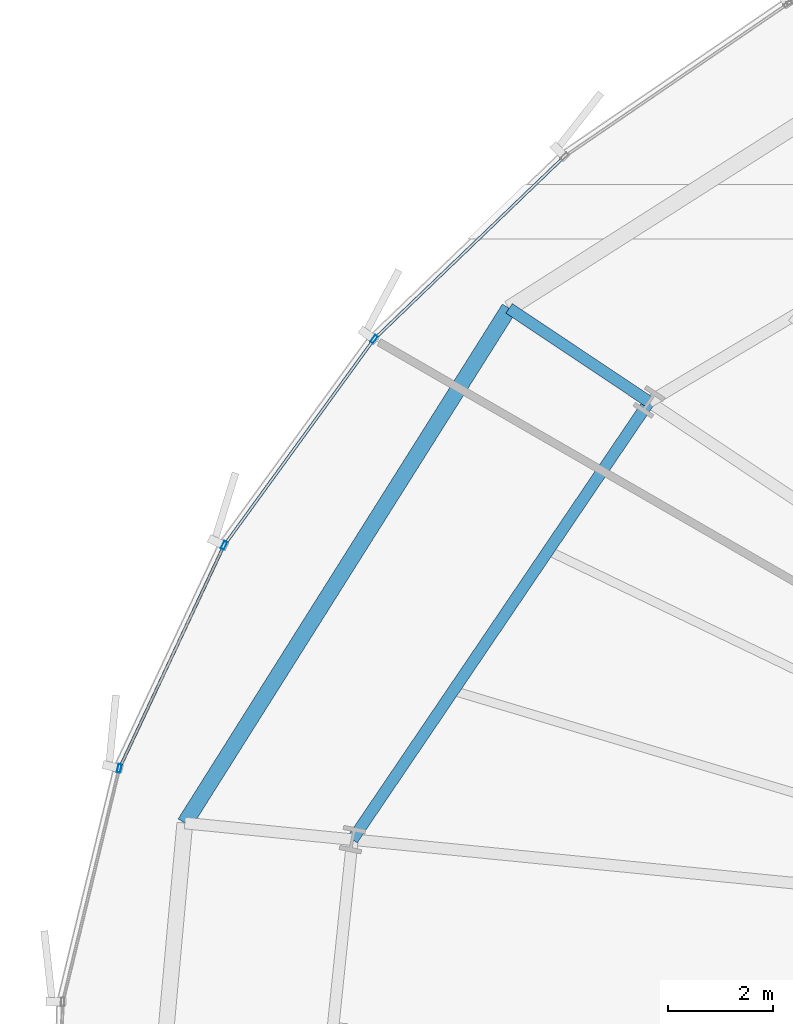
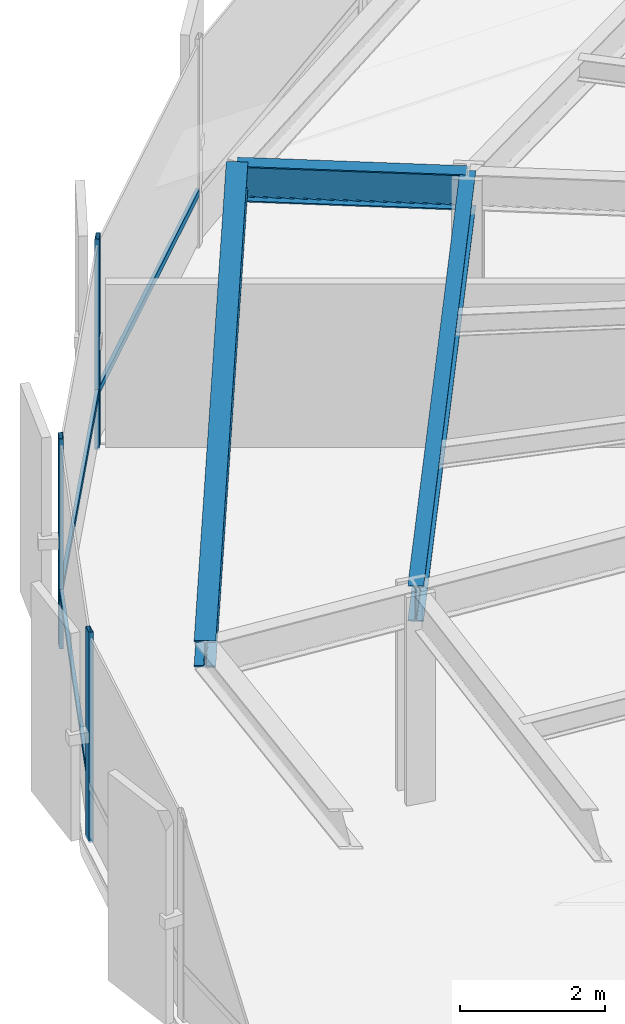
# One storey, part 18 of 37: 6 members, 3 beams, 1 element without a shape of its own.
"""IFC4 building model written with IfcOpenShell, lengths in metres."""

import ifcopenshell
import ifcopenshell.guid

model = None  # the IFC model being written
_history = None  # IfcOwnerHistory: only IFC2X3 demands one
_inside = {}  # id of a spatial element -> (the spatial element, [elements in it])
_under = {}  # id of a project, library or spatial element -> (it, [spatial elements below it])
_declared = {}  # id of a project -> (the project, [libraries it declares])
_typed = {}  # id of a type object -> (the type object, [elements of that type])
_made_of = {}  # id of a material, layer set ... -> (it, [elements and type objects made of it])


def new_model(schema):
    """Start an empty IFC model of exactly this schema.

    Asked for "IFC4X3", IfcOpenShell would pick the latest addendum, in which some entities
    have other attributes; the version numbers below select the first issue.
    IFC2X3 requires an IfcOwnerHistory on every rooted entity: one is made here for all.
    """
    global model, _history
    if schema == "IFC4X3":
        model = ifcopenshell.file(schema_version=(4, 3, 0, 0))
    else:
        model = ifcopenshell.file(schema=schema)
    _inside.clear()
    _under.clear()
    _declared.clear()
    _typed.clear()
    _made_of.clear()
    _history = None
    if model.schema == "IFC2X3":
        org = make("IfcOrganization", Name="unknown")
        user = make(
            "IfcPersonAndOrganization",
            ThePerson=make("IfcPerson", FamilyName="unknown"),
            TheOrganization=org,
        )
        app = make(
            "IfcApplication",
            ApplicationDeveloper=org,
            Version="unknown",
            ApplicationFullName="unknown",
            ApplicationIdentifier="unknown",
        )
        _history = make(
            "IfcOwnerHistory",
            OwningUser=user,
            OwningApplication=app,
            ChangeAction="ADDED",
            CreationDate=0,
        )
    return model


def make(cls, **values):
    """One entity of the class cls with the attributes given. An attribute that is None is left unset."""
    return model.create_entity(
        cls, **{name: value for name, value in values.items() if value is not None}
    )


def rooted(cls, **values):
    """An entity with a GlobalId (a new one), such as an element, a storey or a relation."""
    return make(cls, GlobalId=ifcopenshell.guid.new(), OwnerHistory=_history, **values)


def si_unit(unit_type, name, prefix=None):
    """IfcSIUnit, for example si_unit("LENGTHUNIT", "METRE", prefix="MILLI")."""
    return make("IfcSIUnit", UnitType=unit_type, Prefix=prefix, Name=name)


def assignment(units):
    """IfcUnitAssignment: the units of a project."""
    return None if units is None else make("IfcUnitAssignment", Units=units)


def point(xyz):
    """IfcCartesianPoint."""
    return None if xyz is None else make("IfcCartesianPoint", Coordinates=xyz)


def direction(xyz):
    """IfcDirection."""
    return None if xyz is None else make("IfcDirection", DirectionRatios=xyz)


def frame(location, z_axis=None, x_axis=None):
    """IfcAxis2Placement3D, a coordinate frame: its origin and axes. An axis left out is left unset."""
    return make(
        "IfcAxis2Placement3D",
        Location=point(location),
        Axis=direction(z_axis),
        RefDirection=direction(x_axis),
    )


def frame_2d(location, x_axis=None):
    """IfcAxis2Placement2D, a coordinate frame in the plane: its origin and x axis."""
    return make(
        "IfcAxis2Placement2D", Location=point(location), RefDirection=direction(x_axis)
    )


def origin():
    """The frame at (0, 0, 0) with its axes left unset."""
    return frame((0.0, 0.0, 0.0))


def origin_2d():
    """The frame at (0, 0) in the plane with its x axis left unset."""
    return frame_2d((0.0, 0.0))


def place(relative_to, where):
    """IfcLocalPlacement: puts the frame where relative to a parent placement (None: the world)."""
    return make(
        "IfcLocalPlacement", PlacementRelTo=relative_to, RelativePlacement=where
    )


def context(
    kind, dimensions, precision=None, world=None, true_north=None, identifier=None
):
    """IfcGeometricRepresentationContext, for example the 3D "Model" context."""
    return make(
        "IfcGeometricRepresentationContext",
        ContextIdentifier=identifier,
        ContextType=kind,
        CoordinateSpaceDimension=dimensions,
        Precision=precision,
        WorldCoordinateSystem=world,
        TrueNorth=true_north,
    )


def subcontext(parent, identifier, kind, view, scale=None):
    """IfcGeometricRepresentationSubContext, for example "Body" below "Model"."""
    return make(
        "IfcGeometricRepresentationSubContext",
        ContextIdentifier=identifier,
        ContextType=kind,
        ParentContext=parent,
        TargetScale=scale,
        TargetView=view,
    )


def project(units=None, contexts=None):
    """IfcProject with its units and contexts."""
    return rooted(
        "IfcProject",
        Name="project",
        RepresentationContexts=contexts,
        UnitsInContext=assignment(units),
    )


def spatial(cls, under=None, at=None, **own):
    """A site, building, storey or space (cls), placed at a placement, below another one or the project."""
    s = rooted(cls, ObjectPlacement=at, **own)
    if under is not None:
        _under.setdefault(under.id(), (under, []))[1].append(s)
    return s


def profile(cls, at=None, kind="AREA", **sizes):
    """A parametric profile (cls). Its sizes go by their IFC names, for example OverallWidth=200.0."""
    return make(cls, ProfileType=kind, Position=at, **sizes)


def hollow_rectangle(**sizes):
    """IfcRectangleHollowProfileDef."""
    return profile("IfcRectangleHollowProfileDef", **sizes)


def i_section(**sizes):
    """IfcIShapeProfileDef."""
    return profile("IfcIShapeProfileDef", **sizes)


def extrude(swept, where, along, depth):
    """IfcExtrudedAreaSolid: the profile swept, set in the frame where, extruded along a direction by depth."""
    return make(
        "IfcExtrudedAreaSolid",
        SweptArea=swept,
        Position=where,
        ExtrudedDirection=direction(along),
        Depth=depth,
    )


def shape(context_of_items, identifier, shape_type, items):
    """IfcShapeRepresentation: the items that make up one representation, for example the "Body"."""
    return make(
        "IfcShapeRepresentation",
        ContextOfItems=context_of_items,
        RepresentationIdentifier=identifier,
        RepresentationType=shape_type,
        Items=items,
    )


def source(mapping_origin, context_of_items, identifier, shape_type, items):
    """IfcRepresentationMap: a shape defined once, which mapped items show again and again."""
    return make(
        "IfcRepresentationMap",
        MappingOrigin=mapping_origin,
        MappedRepresentation=shape(context_of_items, identifier, shape_type, items),
    )


def transform(
    local_origin,
    x_axis=None,
    y_axis=None,
    z_axis=None,
    scale=None,
    scale2=None,
    scale3=None,
    uniform=True,
):
    """IfcCartesianTransformationOperator3D, or its non-uniform kind. x_axis, y_axis, z_axis: its Axis1, 2, 3."""
    if uniform:
        return make(
            "IfcCartesianTransformationOperator3D",
            Axis1=direction(x_axis),
            Axis2=direction(y_axis),
            LocalOrigin=point(local_origin),
            Scale=scale,
            Axis3=direction(z_axis),
        )
    return make(
        "IfcCartesianTransformationOperator3DnonUniform",
        Axis1=direction(x_axis),
        Axis2=direction(y_axis),
        LocalOrigin=point(local_origin),
        Scale=scale,
        Axis3=direction(z_axis),
        Scale2=scale2,
        Scale3=scale3,
    )


def mapped(mapping_source, mapping_target):
    """IfcMappedItem: shows the shape of a source again, moved by a transform."""
    return make(
        "IfcMappedItem", MappingSource=mapping_source, MappingTarget=mapping_target
    )


def material(Name=None, Category=None):
    """IfcMaterial."""
    return make("IfcMaterial", Name=Name, Category=Category)


def layer(
    of_material, thickness, ventilated=None, Name=None, Category=None, Priority=None
):
    """IfcMaterialLayer: one layer of a wall or slab, of a material (None: an air gap)."""
    return make(
        "IfcMaterialLayer",
        Material=of_material,
        LayerThickness=thickness,
        IsVentilated=ventilated,
        Name=Name,
        Category=Category,
        Priority=Priority,
    )


def layer_set(layers, Name=None):
    """IfcMaterialLayerSet."""
    return make("IfcMaterialLayerSet", MaterialLayers=layers, LayerSetName=Name)


def material_profile(
    of_material, cross_section, Name=None, Category=None, Priority=None
):
    """IfcMaterialProfile: a cross section and its material."""
    return make(
        "IfcMaterialProfile",
        Name=Name,
        Material=of_material,
        Profile=cross_section,
        Priority=Priority,
        Category=Category,
    )


def profile_set(profiles, Name=None, composite=None):
    """IfcMaterialProfileSet."""
    return make(
        "IfcMaterialProfileSet",
        Name=Name,
        MaterialProfiles=profiles,
        CompositeProfile=composite,
    )


def made_of(thing, what):
    """Note that an element or type object is made of a material, layer set ...; save() writes the relation."""
    if what is not None:
        _made_of.setdefault(what.id(), (what, []))[1].append(thing)
    return thing


def type_object(cls, material=None, **own):
    """A type object (cls), such as IfcWallType, which elements share."""
    return made_of(rooted(cls, **own), material)


def element(
    cls,
    number,
    at=None,
    inside=None,
    cuts=None,
    type_object=None,
    material=None,
    context=None,
    identifier="Body",
    shape_type=None,
    held_by="IfcProductDefinitionShape",
    body=None,
    shapes=None,
    **own,
):
    """One element of the class cls, such as IfcWall. Its Tag is "e" and its number.

    at: its placement. inside: the storey or other place that contains it. cuts: it is an
    opening in that element (IfcRelVoidsElement). A single representation is given by context,
    identifier, shape_type and body (its items); several are given by shapes. held_by: the class
    of the entity that holds the representations. save() writes the other relations.
    """
    e = rooted(cls, Tag="e%d" % number, ObjectPlacement=at, **own)
    if body is not None:
        shapes = [shape(context, identifier, shape_type, body)]
    if shapes is not None:
        e.Representation = make(held_by, Representations=shapes)
    if inside is not None:
        _inside.setdefault(inside.id(), (inside, []))[1].append(e)
    if cuts is not None:
        rooted(
            "IfcRelVoidsElement", RelatingBuildingElement=cuts, RelatedOpeningElement=e
        )
    if type_object is not None:
        _typed.setdefault(type_object.id(), (type_object, []))[1].append(e)
    return made_of(e, material)


def aggregate(whole, parts):
    """IfcRelAggregates: a whole, such as a stair, and the parts it consists of."""
    return rooted("IfcRelAggregates", RelatingObject=whole, RelatedObjects=parts)


def save(model, path):
    """Write the relations noted so far, then the file.

    IfcRelAggregates (storeys below a building ...), IfcRelContainedInSpatialStructure (elements
    in a storey), IfcRelDefinesByType, IfcRelAssociatesMaterial and IfcRelDeclares: one each for
    every whole, place, type object, material and project.
    """
    for whole, parts in _under.values():
        aggregate(whole, parts)
    for where, things in _inside.values():
        rooted(
            "IfcRelContainedInSpatialStructure",
            RelatedElements=things,
            RelatingStructure=where,
        )
    for kind, things in _typed.values():
        rooted("IfcRelDefinesByType", RelatedObjects=things, RelatingType=kind)
    for what, things in _made_of.values():
        rooted("IfcRelAssociatesMaterial", RelatedObjects=things, RelatingMaterial=what)
    for by, libraries in _declared.values():
        rooted("IfcRelDeclares", RelatingContext=by, RelatedDefinitions=libraries)
    model.write(path)


model = new_model("IFC4")

# Units and contexts
model_context = context("Model", 3, precision=1e-05, world=origin(), true_north=direction((0.0, 1.0)))
body_context = subcontext(model_context, "Body", "Model", "MODEL_VIEW")
ifc_project = project(units=[si_unit("LENGTHUNIT", "METRE"), si_unit("AREAUNIT", "SQUARE_METRE"), si_unit("VOLUMEUNIT", "CUBIC_METRE"), si_unit("PLANEANGLEUNIT", "RADIAN"), si_unit("MASSUNIT", "GRAM", prefix="KILO"), si_unit("THERMODYNAMICTEMPERATUREUNIT", "KELVIN")], contexts=[model_context])

# Site, building, storey
site_placement = place(None, origin())
site = spatial("IfcSite", under=ifc_project, at=site_placement, CompositionType="ELEMENT")
building_placement = place(site_placement, origin())
building = spatial("IfcBuilding", under=site, at=building_placement, Name="Kethvar Cultural Tower", CompositionType="ELEMENT")
storey_placement = place(building_placement, frame((0.0, 0.0, 48.60009765625)))
storey = spatial("IfcBuildingStorey", under=building, at=storey_placement, Name="L11", CompositionType="ELEMENT", Elevation=48.60009765625)

# Beams
ifc_material_1 = material(Name="Steel S355J2", Category="steel")
ifc_material_profile_1 = material_profile(ifc_material_1, i_section(OverallWidth=0.219970703125, OverallDepth=0.60009765625, WebThickness=0.011962890625, FlangeThickness=0.01904296875, FilletRadius=0.02392578125, at=origin_2d()), Name="Steel S355J2 — IPE600")
ifc_profile_set_1 = profile_set([ifc_material_profile_1], Name="Steel S355J2 — IPE600")
beam_type_1 = type_object("IfcBeamType", Name="BM-IPE600", PredefinedType="BEAM", material=ifc_profile_set_1)
shared_shape_1 = source(origin(), body_context, "Body", "SweptSolid", [
    extrude(i_section(OverallWidth=0.219970703125, OverallDepth=0.60009765625, WebThickness=0.011962890625, FlangeThickness=0.01904296875, FilletRadius=0.02392578125, at=origin_2d()), origin(), (0.0, 0.0, 1.0), 3.199951171875),
])
beam_1_placement = place(storey_placement, frame((26.6845703125, 41.24072265625, 3.247802734375), z_axis=(-0.831462943996, 0.555580212716, 0.0), x_axis=(-0.555580212716, -0.831462943996, 0.0)))
element("IfcBeam", 1, at=beam_1_placement, inside=storey, type_object=beam_type_1, Name="L11 Perimeter Cantilever Beam RC-07", PredefinedType="BEAM", context=body_context, shape_type="MappedRepresentation", body=[
    mapped(shared_shape_1, transform((0.0, 0.0, 0.0), scale=1.0)),
])
shared_shape_2 = source(origin(), body_context, "Body", "SweptSolid", [
    extrude(i_section(OverallWidth=0.219970703125, OverallDepth=0.60009765625, WebThickness=0.011962890625, FlangeThickness=0.01904296875, FilletRadius=0.02392578125, at=origin_2d()), origin(), (0.0, 0.0, 1.0), 10.048583984375),
])
beam_2_placement = place(storey_placement, frame((26.6845703125, 41.24072265625, 3.247802734375), z_axis=(-0.561025415443, -0.827798576483, 0.0), x_axis=(0.827798576483, -0.561025415443, 0.0)))
element("IfcBeam", 2, at=beam_2_placement, inside=storey, type_object=beam_type_1, Name="L11 Column Ring Tie Beam CR-07", PredefinedType="BEAM", context=body_context, shape_type="MappedRepresentation", body=[
    mapped(shared_shape_2, transform((0.0, 0.0, 0.0), scale=1.0)),
])
ifc_material_profile_2 = material_profile(ifc_material_1, i_section(OverallWidth=0.300048828125, OverallDepth=0.449951171875, WebThickness=0.013916015625, FlangeThickness=0.02587890625, FilletRadius=0.027099609375, at=origin_2d()), Name="Steel S355J2 — HEB450")
ifc_profile_set_2 = profile_set([ifc_material_profile_2], Name="Steel S355J2 — HEB450")
beam_type_2 = type_object("IfcBeamType", Name="BM-SP450", PredefinedType="SPANDREL", material=ifc_profile_set_2)
shared_shape_3 = source(origin(), body_context, "Body", "SweptSolid", [
    extrude(i_section(OverallWidth=0.300048828125, OverallDepth=0.449951171875, WebThickness=0.013916015625, FlangeThickness=0.02587890625, FilletRadius=0.027099609375, at=origin_2d()), origin(), (0.0, 0.0, 1.0), 11.560546875),
])
beam_3_placement = place(storey_placement, frame((24.02392578125, 43.0185546875, 3.322998046875), z_axis=(-0.532968413488, -0.846135137093, 0.0), x_axis=(0.846135137093, -0.532968413488, 0.0)))
element("IfcBeam", 3, at=beam_3_placement, inside=storey, type_object=beam_type_2, Name="L11 Perimeter Spandrel Beam SP-07", PredefinedType="SPANDREL", context=body_context, shape_type="MappedRepresentation", body=[
    mapped(shared_shape_3, transform((0.0, 0.0, 0.0), scale=1.0)),
])

# Curtain wall, members
ifc_material_2 = material(Name="Aluminium 6063-T6", Category="aluminium")
ifc_layer = layer(ifc_material_2, 0.179931640625, Name="Aluminium 6063-T6", Category="aluminium")
ifc_layer_set = layer_set([ifc_layer], Name="Aluminium 6063-T6 (180 mm)")
curtain_wall_type = type_object("IfcCurtainWallType", Name="CW-SYS-02-Z1", PredefinedType="NOTDEFINED", material=ifc_layer_set)
curtain_wall_placement = place(storey_placement, origin())
curtain_wall = element("IfcCurtainWall", 4, at=curtain_wall_placement, inside=storey, type_object=curtain_wall_type, Name="L11 Curtain Wall Run 03", PredefinedType="NOTDEFINED")
ifc_material_profile_3 = material_profile(ifc_material_2, hollow_rectangle(XDim=0.06494140625, YDim=0.159912109375, WallThickness=0.0048828125, at=origin_2d()), Name="Aluminium 6063-T6 — RHS160x65x5")
ifc_profile_set_3 = profile_set([ifc_material_profile_3], Name="Aluminium 6063-T6 — RHS160x65x5")
member_type_1 = type_object("IfcMemberType", Name="CW-SYS-02-Z1-MUL", PredefinedType="MULLION", material=ifc_profile_set_3)
shared_shape_4 = source(origin(), body_context, "Body", "SweptSolid", [
    extrude(hollow_rectangle(XDim=0.06494140625, YDim=0.159912109375, WallThickness=0.0048828125, at=origin_2d()), origin(), (0.0, 0.0, 1.0), 3.5498046875),
])
member_1_placement = place(storey_placement, frame((21.45703125, 42.430908203125, 0.0), z_axis=(0.0, 0.0, 1.0), x_axis=(0.808996476306, -0.587813491955, 0.0)))
member_1 = element("IfcMember", 5, at=member_1_placement, type_object=member_type_1, Name="CW-L11-R03 Mullion 3", PredefinedType="MULLION", context=body_context, shape_type="MappedRepresentation", body=[
    mapped(shared_shape_4, transform((0.0, 0.0, 0.0), scale=1.0)),
])
member_2_placement = place(storey_placement, frame((18.60888671875, 38.514892578125, 0.0), z_axis=(0.0, 0.0, 1.0), x_axis=(0.905331740136, -0.424705121588, 0.0)))
member_2 = element("IfcMember", 6, at=member_2_placement, type_object=member_type_1, Name="CW-L11-R03 Mullion 4", PredefinedType="MULLION", context=body_context, shape_type="MappedRepresentation", body=[
    mapped(shared_shape_4, transform((0.0, 0.0, 0.0), scale=1.0)),
])
member_3_placement = place(storey_placement, frame((16.6171875, 34.27490234375, 0.0), z_axis=(0.0, 0.0, 1.0), x_axis=(0.971961000579, -0.235142113103, 0.0)))
member_3 = element("IfcMember", 7, at=member_3_placement, type_object=member_type_1, Name="CW-L11-R03 Mullion 5", PredefinedType="MULLION", context=body_context, shape_type="MappedRepresentation", body=[
    mapped(shared_shape_4, transform((0.0, 0.0, 0.0), scale=1.0)),
])
ifc_material_profile_4 = material_profile(ifc_material_2, hollow_rectangle(XDim=0.054931640625, YDim=0.1201171875, WallThickness=0.00390625, at=origin_2d()), Name="Aluminium 6063-T6 — RHS120x55x4")
ifc_profile_set_4 = profile_set([ifc_material_profile_4], Name="Aluminium 6063-T6 — RHS120x55x4")
member_type_2 = type_object("IfcMemberType", Name="CW-SYS-02-Z1-TRN", PredefinedType="USERDEFINED", material=ifc_profile_set_4)
shared_shape_5 = source(origin(), body_context, "Body", "SweptSolid", [
    extrude(hollow_rectangle(XDim=0.054931640625, YDim=0.1201171875, WallThickness=0.00390625, at=origin_2d()), origin(), (0.0, 0.0, 1.0), 4.94287109375),
])
member_4_placement = place(storey_placement, frame((25.0419921875, 45.871337890625, 0.949951171875), z_axis=(-0.721260972611, -0.692663417099, 0.0), x_axis=(0.692663417099, -0.721260972611, 0.0)))
member_4 = element("IfcMember", 8, at=member_4_placement, type_object=member_type_2, Name="CW-L11-R03 Transom 2", ObjectType="TRANSOM", PredefinedType="USERDEFINED", context=body_context, shape_type="MappedRepresentation", body=[
    mapped(shared_shape_5, transform((0.0, 0.0, 0.0), scale=1.0)),
])
shared_shape_6 = source(origin(), body_context, "Body", "SweptSolid", [
    extrude(hollow_rectangle(XDim=0.054931640625, YDim=0.1201171875, WallThickness=0.00390625, at=origin_2d()), origin(), (0.0, 0.0, 1.0), 4.77099609375),
])
member_5_placement = place(storey_placement, frame((21.429443359375, 42.39306640625, 0.949951171875), z_axis=(-0.587797397372, -0.809008170319, 0.0), x_axis=(0.809008170319, -0.587797397372, 0.0)))
member_5 = element("IfcMember", 9, at=member_5_placement, type_object=member_type_2, Name="CW-L11-R03 Transom 3", ObjectType="TRANSOM", PredefinedType="USERDEFINED", context=body_context, shape_type="MappedRepresentation", body=[
    mapped(shared_shape_6, transform((0.0, 0.0, 0.0), scale=1.0)),
])
shared_shape_7 = source(origin(), body_context, "Body", "SweptSolid", [
    extrude(hollow_rectangle(XDim=0.054931640625, YDim=0.1201171875, WallThickness=0.00390625, at=origin_2d()), origin(), (0.0, 0.0, 1.0), 4.61474609375),
])
member_6_placement = place(storey_placement, frame((18.589111328125, 38.47265625, 0.949951171875), z_axis=(-0.424706293291, -0.90533119047, 0.0), x_axis=(0.90533119047, -0.424706293291, 0.0)))
member_6 = element("IfcMember", 10, at=member_6_placement, type_object=member_type_2, Name="CW-L11-R03 Transom 4", ObjectType="TRANSOM", PredefinedType="USERDEFINED", context=body_context, shape_type="MappedRepresentation", body=[
    mapped(shared_shape_7, transform((0.0, 0.0, 0.0), scale=1.0)),
])
aggregate(curtain_wall, [member_1, member_2, member_3, member_4, member_5, member_6])

save(model, "model.ifc")
